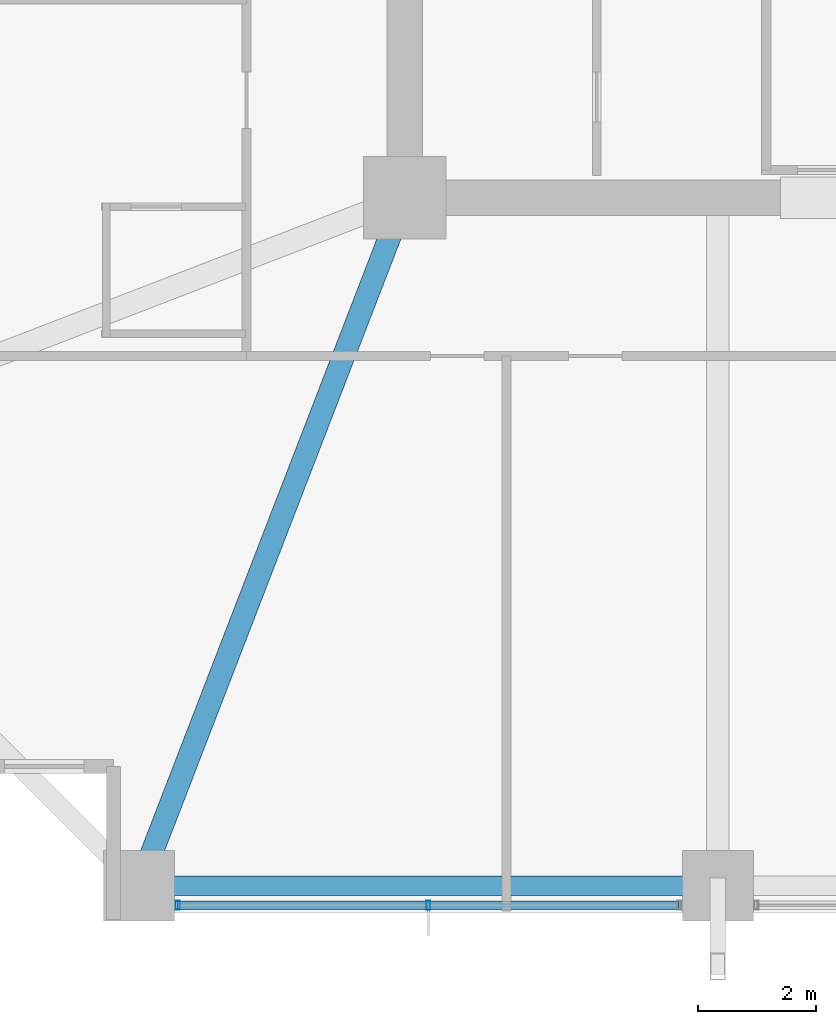
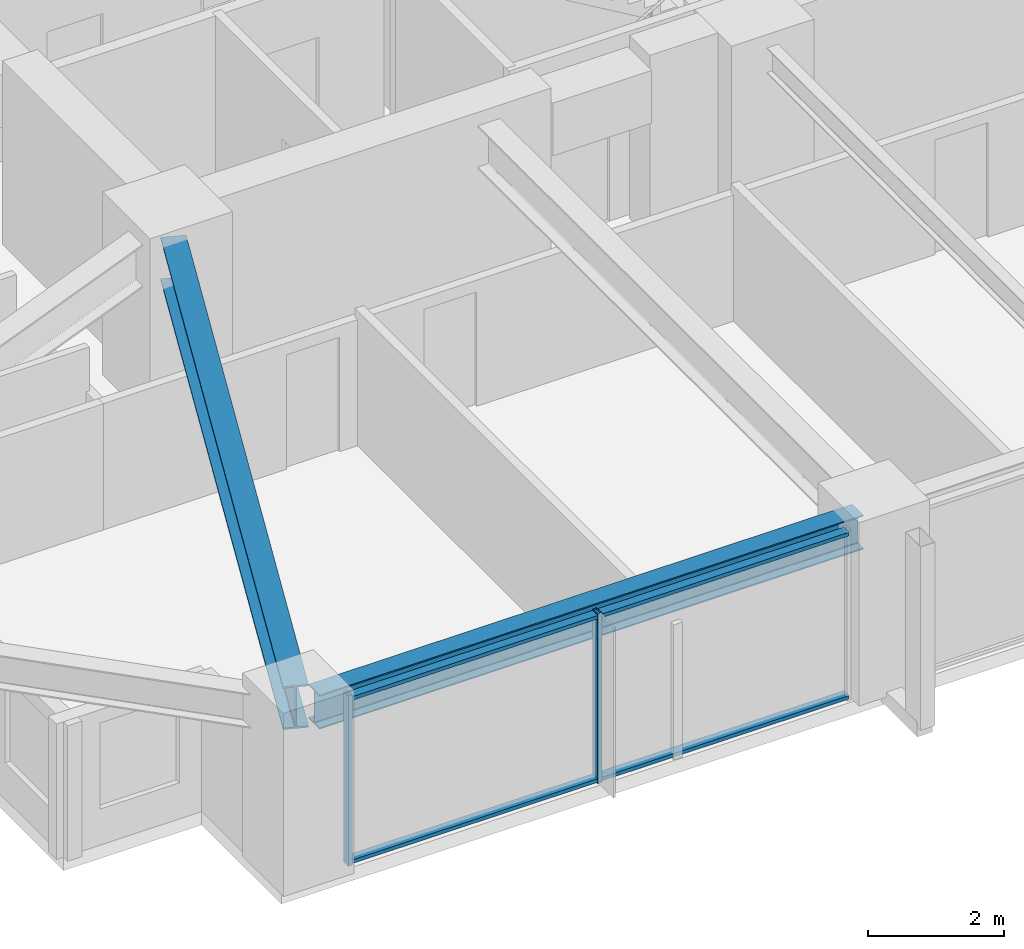
# One storey, part 2 of 36: 4 members, 2 beams, 1 element without a shape of its own.
"""IFC4 building model written with IfcOpenShell, lengths in metres."""

from ifc_helpers import new_model, si_unit, direction, frame, origin, origin_2d, place, context, subcontext, project, spatial, hollow_rectangle, i_section, extrude, material, material_profile, profile_set, type_object, element, aggregate, save


model = new_model("IFC4")

# Units and contexts
model_context = context("Model", 3, precision=1e-05, world=origin(), true_north=direction((0.0, 1.0)))
body_context = subcontext(model_context, "Body", "Model", "MODEL_VIEW")
ifc_project = project(units=[si_unit("LENGTHUNIT", "METRE"), si_unit("AREAUNIT", "SQUARE_METRE"), si_unit("VOLUMEUNIT", "CUBIC_METRE"), si_unit("PLANEANGLEUNIT", "RADIAN"), si_unit("MASSUNIT", "GRAM", prefix="KILO")], contexts=[model_context])

# Site, building, storey
site_placement = place(None, origin())
site = spatial("IfcSite", under=ifc_project, at=site_placement, CompositionType="ELEMENT")
building_placement = place(site_placement, origin())
building = spatial("IfcBuilding", under=site, at=building_placement, Name="Kolvaren Belvedere", CompositionType="ELEMENT")
storey_placement = place(building_placement, frame((0.0, 0.0, 46.89990234375)))
storey = spatial("IfcBuildingStorey", under=building, at=storey_placement, Name="L13", CompositionType="ELEMENT", Elevation=46.89990234375)

# Beams
ifc_material_1 = material(Name="Structural steel ASTM A992 Grade 50", Category="steel")
ifc_material_profile_1 = material_profile(ifc_material_1, i_section(OverallWidth=0.381103515625, OverallDepth=0.77294921875, WebThickness=0.0166015625, FlangeThickness=0.027099609375, FilletRadius=0.02392578125, at=origin_2d()), Name="W30X173")
ifc_profile_set_1 = profile_set([ifc_material_profile_1], Name="Structural steel ASTM A992 Grade 50")
beam_type_1 = type_object("IfcBeamType", Name="BM-GIRD-W30X173", PredefinedType="BEAM", material=ifc_profile_set_1)
beam_1_placement = place(storey_placement, frame((-10.09814453125, -10.4130859375, 2.673583984375), z_axis=(-0.360318391835, -0.932829382313, 0.0), x_axis=(0.932829382313, -0.360318391835, 0.0)))
element("IfcBeam", 1, at=beam_1_placement, inside=storey, type_object=beam_type_1, Name="L13 Corner Core-to-Perimeter Girder CC1-S1", PredefinedType="BEAM", context=body_context, shape_type="SweptSolid", body=[
    extrude(i_section(OverallWidth=0.381103515625, OverallDepth=0.77294921875, WebThickness=0.0166015625, FlangeThickness=0.027099609375, FilletRadius=0.02392578125, at=origin_2d()), origin(), (0.0, 0.0, 1.0), 11.698974609375),
])
ifc_material_2 = material(Name="Structural steel ASTM A992 Grade 50", Category="steel")
ifc_material_profile_2 = material_profile(ifc_material_2, i_section(OverallWidth=0.324951171875, OverallDepth=0.615966796875, WebThickness=0.013916015625, FlangeThickness=0.021484375, FilletRadius=0.02001953125, at=origin_2d()), Name="W24X117")
ifc_profile_set_2 = profile_set([ifc_material_profile_2], Name="Structural steel ASTM A992 Grade 50")
beam_type_2 = type_object("IfcBeamType", Name="BM-SPAN-W24X117", PredefinedType="SPANDREL", material=ifc_profile_set_2)
beam_2_placement = place(storey_placement, frame((-14.1298828125, -21.550048828125, 2.752197265625), z_axis=(1.0, 0.0, 0.0), x_axis=(0.0, 1.0, 0.0)))
element("IfcBeam", 2, at=beam_2_placement, inside=storey, type_object=beam_type_2, Name="L13 Perimeter Spandrel S1-S2", PredefinedType="SPANDREL", context=body_context, shape_type="SweptSolid", body=[
    extrude(i_section(OverallWidth=0.324951171875, OverallDepth=0.615966796875, WebThickness=0.013916015625, FlangeThickness=0.021484375, FilletRadius=0.02001953125, at=origin_2d()), origin(), (0.0, 0.0, 1.0), 9.259765625),
])

# Curtain wall, members
ifc_material_3 = material(Name="Anodised pale-metal aluminium AA 6063-T6", Category="aluminium")
curtain_wall_type = type_object("IfcCurtainWallType", Name="CW-Z1-LOW", PredefinedType="NOTDEFINED", material=ifc_material_3)
curtain_wall_placement = place(storey_placement, origin())
curtain_wall = element("IfcCurtainWall", 3, at=curtain_wall_placement, inside=storey, type_object=curtain_wall_type, Name="L13 Unitised Curtain Wall FCW-L13-S-B3", PredefinedType="NOTDEFINED")
ifc_material_4 = material(Name="Anodised pale-metal aluminium AA 6063-T6", Category="aluminium")
ifc_material_profile_3 = material_profile(ifc_material_4, hollow_rectangle(XDim=0.070068359375, YDim=0.14990234375, WallThickness=0.004150390625, at=origin_2d()), Name="ALU-MUL-150X70")
ifc_profile_set_3 = profile_set([ifc_material_profile_3], Name="Anodised pale-metal aluminium AA 6063-T6")
member_type_1 = type_object("IfcMemberType", Name="CW-MUL-150", PredefinedType="MULLION", material=ifc_profile_set_3)
member_1_placement = place(storey_placement, frame((-9.5, -21.8798828125, 0.0), z_axis=(0.0, 0.0, 1.0), x_axis=(1.0, 0.0, 0.0)))
member_1 = element("IfcMember", 4, at=member_1_placement, type_object=member_type_1, Name="FCW-L13-S-B3 Unitised Mullion 2", PredefinedType="MULLION", context=body_context, shape_type="SweptSolid", body=[
    extrude(hollow_rectangle(XDim=0.070068359375, YDim=0.14990234375, WallThickness=0.004150390625, at=origin_2d()), origin(), (0.0, 0.0, 1.0), 3.06005859375),
])
member_2_placement = place(storey_placement, frame((-13.7451171875, -21.8798828125, 0.0), z_axis=(0.0, 0.0, 1.0), x_axis=(1.0, 0.0, 0.0)))
member_2 = element("IfcMember", 5, at=member_2_placement, type_object=member_type_1, Name="FCW-L13-S-B3 Unitised Mullion 3", PredefinedType="MULLION", context=body_context, shape_type="SweptSolid", body=[
    extrude(hollow_rectangle(XDim=0.070068359375, YDim=0.14990234375, WallThickness=0.004150390625, at=origin_2d()), origin(), (0.0, 0.0, 1.0), 3.06005859375),
])
ifc_material_5 = material(Name="Anodised pale-metal aluminium AA 6063-T6", Category="aluminium")
ifc_material_profile_4 = material_profile(ifc_material_5, hollow_rectangle(XDim=0.06494140625, YDim=0.14990234375, WallThickness=0.00390625, at=origin_2d()), Name="ALU-TRN-150X65")
ifc_profile_set_4 = profile_set([ifc_material_profile_4], Name="Anodised pale-metal aluminium AA 6063-T6")
member_type_2 = type_object("IfcMemberType", Name="CW-TRN-150", PredefinedType="USERDEFINED", material=ifc_profile_set_4)
member_3_placement = place(storey_placement, frame((-5.2548828125, -21.8798828125, 0.06005859375), z_axis=(-1.0, 0.0, 0.0), x_axis=(0.0, 0.0, 1.0)))
member_3 = element("IfcMember", 6, at=member_3_placement, type_object=member_type_2, Name="FCW-L13-S-B3 Sill Transom", ObjectType="TRANSOM", PredefinedType="USERDEFINED", context=body_context, shape_type="SweptSolid", body=[
    extrude(hollow_rectangle(XDim=0.06494140625, YDim=0.14990234375, WallThickness=0.00390625, at=origin_2d()), origin(), (0.0, 0.0, 1.0), 8.490234375),
])
member_4_placement = place(storey_placement, frame((-5.2548828125, -21.8798828125, 3.0), z_axis=(-1.0, 0.0, 0.0), x_axis=(0.0, 0.0, 1.0)))
member_4 = element("IfcMember", 7, at=member_4_placement, type_object=member_type_2, Name="FCW-L13-S-B3 Head Transom", ObjectType="TRANSOM", PredefinedType="USERDEFINED", context=body_context, shape_type="SweptSolid", body=[
    extrude(hollow_rectangle(XDim=0.06494140625, YDim=0.14990234375, WallThickness=0.00390625, at=origin_2d()), origin(), (0.0, 0.0, 1.0), 8.490234375),
])
aggregate(curtain_wall, [member_1, member_2, member_3, member_4])

save(model, "model.ifc")
